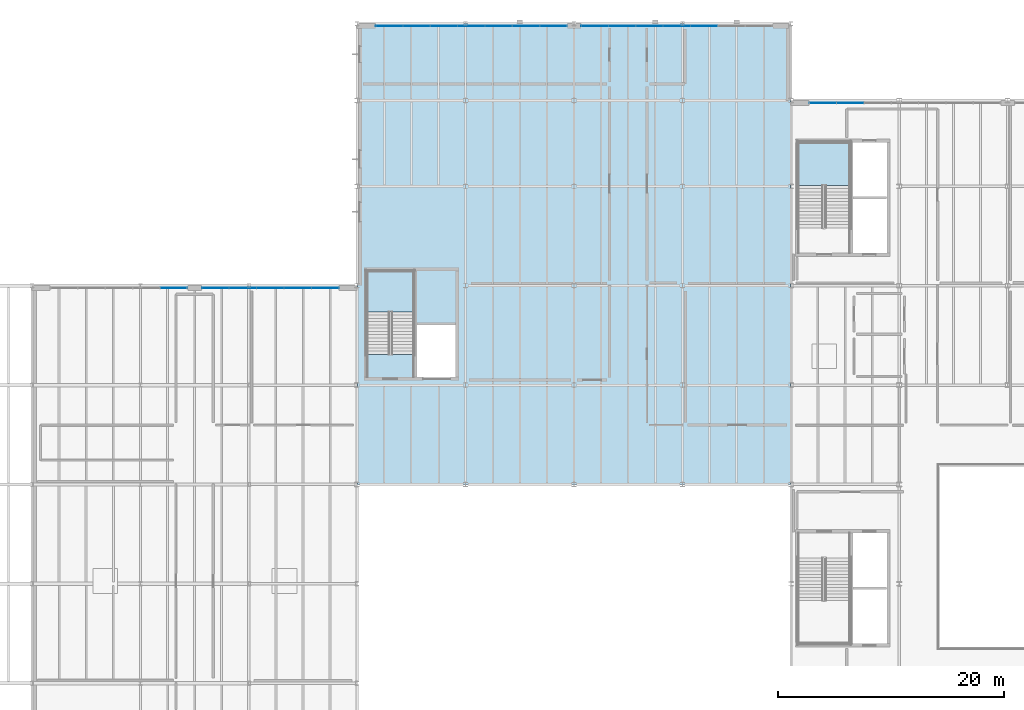
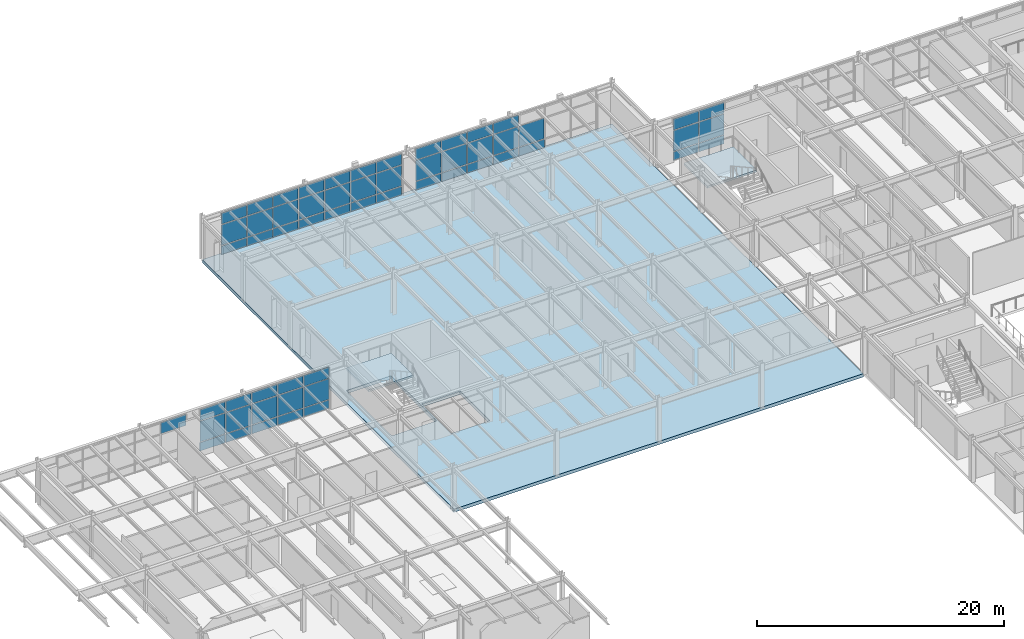
# One storey, part 48 of 77: 57 plates, 3 slabs, 7 elements without a shape of their own.
"""IFC4 building model written with IfcOpenShell, lengths in metres."""

from ifc_helpers import new_model, si_unit, direction, frame, origin, origin_2d, place, context, subcontext, project, spatial, polyline, rectangle, outline, extrude, material, layer, layer_set, type_object, element, aggregate, save


model = new_model("IFC4")

# Units and contexts
model_context = context("Model", 3, precision=1e-05, world=origin(), true_north=direction((0.0, 1.0)))
body_context = subcontext(model_context, "Body", "Model", "MODEL_VIEW")
ifc_project = project(units=[si_unit("LENGTHUNIT", "METRE"), si_unit("AREAUNIT", "SQUARE_METRE"), si_unit("VOLUMEUNIT", "CUBIC_METRE"), si_unit("PLANEANGLEUNIT", "RADIAN"), si_unit("MASSUNIT", "GRAM", prefix="KILO")], contexts=[model_context])

# Site, building, storey
site_placement = place(None, origin())
site = spatial("IfcSite", under=ifc_project, at=site_placement, CompositionType="ELEMENT")
building_placement = place(site_placement, origin())
building = spatial("IfcBuilding", under=site, at=building_placement, Name="Sarnbrook Museum", CompositionType="ELEMENT")
storey_placement = place(building_placement, frame((0.0, 0.0, 5.60009765625)))
storey = spatial("IfcBuildingStorey", under=building, at=storey_placement, Name="L01", CompositionType="ELEMENT", Elevation=5.60009765625)

# Curtain wall, plates
ifc_material_1 = material(Name="Thermally Broken Anodised Aluminium 6063-T6", Category="aluminium")
curtain_wall_type = type_object("IfcCurtainWallType", Name="CurtainWall_GalleryRibbon", PredefinedType="NOTDEFINED", material=ifc_material_1)
curtain_wall_1_placement = place(storey_placement, origin())
curtain_wall_1 = element("IfcCurtainWall", 1, at=curtain_wall_1_placement, inside=storey, type_object=curtain_wall_type, Name="Gallery Ribbon Curtain Wall L01-6.2", PredefinedType="NOTDEFINED")
ifc_material_2 = material(Name="Double-Glazed Low-Iron Laminated Safety Glass", Category="glass")
ifc_layer_1 = layer(ifc_material_2, 0.031982421875)
ifc_layer_set_1 = layer_set([ifc_layer_1], Name="Double-Glazed Low-Iron Laminated Safety Glass")
plate_type_1 = type_object("IfcPlateType", Name="CW_GlazedPanel_32", PredefinedType="CURTAIN_PANEL", material=ifc_layer_set_1)
plate_1_placement = place(storey_placement, frame((86.05419921875, 108.18212890625, 1.949951171875), z_axis=(0.0, 1.0, 0.0), x_axis=(-1.0, 0.0, 0.0)))
plate_1 = element("IfcPlate", 2, at=plate_1_placement, type_object=plate_type_1, Name="Gallery Ribbon Curtain Wall L01-6.2 Glazed Panel 6-2", PredefinedType="CURTAIN_PANEL", context=body_context, shape_type="SweptSolid", body=[
    extrude(rectangle(XDim=2.347900390625, YDim=2.030029296875, at=origin_2d()), origin(), (0.0, 0.0, 1.0), 0.031982421875),
])
plate_2_placement = place(storey_placement, frame((86.05419921875, 108.18212890625, 3.579833984375), z_axis=(0.0, 1.0, 0.0), x_axis=(-1.0, 0.0, 0.0)))
plate_2 = element("IfcPlate", 3, at=plate_2_placement, type_object=plate_type_1, Name="Gallery Ribbon Curtain Wall L01-6.2 Glazed Panel 6-3", PredefinedType="CURTAIN_PANEL", context=body_context, shape_type="SweptSolid", body=[
    extrude(rectangle(XDim=2.347900390625, YDim=1.090087890625, at=origin_2d()), origin(), (0.0, 0.0, 1.0), 0.031982421875),
])
plate_3_placement = place(storey_placement, frame((83.63134765625, 108.18212890625, 1.949951171875), z_axis=(0.0, 1.0, 0.0), x_axis=(-1.0, 0.0, 0.0)))
plate_3 = element("IfcPlate", 4, at=plate_3_placement, type_object=plate_type_1, Name="Gallery Ribbon Curtain Wall L01-6.2 Glazed Panel 7-2", PredefinedType="CURTAIN_PANEL", context=body_context, shape_type="SweptSolid", body=[
    extrude(rectangle(XDim=2.347900390625, YDim=2.030029296875, at=origin_2d()), origin(), (0.0, 0.0, 1.0), 0.031982421875),
])
plate_4_placement = place(storey_placement, frame((83.63134765625, 108.18212890625, 3.579833984375), z_axis=(0.0, 1.0, 0.0), x_axis=(-1.0, 0.0, 0.0)))
plate_4 = element("IfcPlate", 5, at=plate_4_placement, type_object=plate_type_1, Name="Gallery Ribbon Curtain Wall L01-6.2 Glazed Panel 7-3", PredefinedType="CURTAIN_PANEL", context=body_context, shape_type="SweptSolid", body=[
    extrude(rectangle(XDim=2.347900390625, YDim=1.090087890625, at=origin_2d()), origin(), (0.0, 0.0, 1.0), 0.031982421875),
])

curtain_wall_2_placement = place(storey_placement, origin())
curtain_wall_2 = element("IfcCurtainWall", 6, at=curtain_wall_2_placement, inside=storey, type_object=curtain_wall_type, Name="Gallery Ribbon Curtain Wall L01-8.1", PredefinedType="NOTDEFINED")
plate_5_placement = place(storey_placement, frame((73.122802734375, 114.98193359375, 1.949951171875), z_axis=(0.0, 1.0, 0.0), x_axis=(-1.0, 0.0, 0.0)))
plate_5 = element("IfcPlate", 7, at=plate_5_placement, type_object=plate_type_1, Name="Gallery Ribbon Curtain Wall L01-8.1 Glazed Panel 3-2", PredefinedType="CURTAIN_PANEL", context=body_context, shape_type="SweptSolid", body=[
    extrude(rectangle(XDim=2.347900390625, YDim=2.030029296875, at=origin_2d()), origin(), (0.0, 0.0, 1.0), 0.031982421875),
])
plate_6_placement = place(storey_placement, frame((70.699951171875, 114.98193359375, 1.949951171875), z_axis=(0.0, 1.0, 0.0), x_axis=(-1.0, 0.0, 0.0)))
plate_6 = element("IfcPlate", 8, at=plate_6_placement, type_object=plate_type_1, Name="Gallery Ribbon Curtain Wall L01-8.1 Glazed Panel 4-2", PredefinedType="CURTAIN_PANEL", context=body_context, shape_type="SweptSolid", body=[
    extrude(rectangle(XDim=2.347900390625, YDim=2.030029296875, at=origin_2d()), origin(), (0.0, 0.0, 1.0), 0.031982421875),
])
plate_7_placement = place(storey_placement, frame((70.699951171875, 114.98193359375, 3.579833984375), z_axis=(0.0, 1.0, 0.0), x_axis=(-1.0, 0.0, 0.0)))
plate_7 = element("IfcPlate", 9, at=plate_7_placement, type_object=plate_type_1, Name="Gallery Ribbon Curtain Wall L01-8.1 Glazed Panel 4-3", PredefinedType="CURTAIN_PANEL", context=body_context, shape_type="SweptSolid", body=[
    extrude(rectangle(XDim=2.347900390625, YDim=1.090087890625, at=origin_2d()), origin(), (0.0, 0.0, 1.0), 0.031982421875),
])
plate_8_placement = place(storey_placement, frame((68.277099609375, 114.98193359375, 1.949951171875), z_axis=(0.0, 1.0, 0.0), x_axis=(-1.0, 0.0, 0.0)))
plate_8 = element("IfcPlate", 10, at=plate_8_placement, type_object=plate_type_1, Name="Gallery Ribbon Curtain Wall L01-8.1 Glazed Panel 5-2", PredefinedType="CURTAIN_PANEL", context=body_context, shape_type="SweptSolid", body=[
    extrude(rectangle(XDim=2.347900390625, YDim=2.030029296875, at=origin_2d()), origin(), (0.0, 0.0, 1.0), 0.031982421875),
])
plate_9_placement = place(storey_placement, frame((68.277099609375, 114.98193359375, 3.579833984375), z_axis=(0.0, 1.0, 0.0), x_axis=(-1.0, 0.0, 0.0)))
plate_9 = element("IfcPlate", 11, at=plate_9_placement, type_object=plate_type_1, Name="Gallery Ribbon Curtain Wall L01-8.1 Glazed Panel 5-3", PredefinedType="CURTAIN_PANEL", context=body_context, shape_type="SweptSolid", body=[
    extrude(rectangle(XDim=2.347900390625, YDim=1.090087890625, at=origin_2d()), origin(), (0.0, 0.0, 1.0), 0.031982421875),
])
plate_10_placement = place(storey_placement, frame((65.854248046875, 114.98193359375, 1.949951171875), z_axis=(0.0, 1.0, 0.0), x_axis=(-1.0, 0.0, 0.0)))
plate_10 = element("IfcPlate", 12, at=plate_10_placement, type_object=plate_type_1, Name="Gallery Ribbon Curtain Wall L01-8.1 Glazed Panel 6-2", PredefinedType="CURTAIN_PANEL", context=body_context, shape_type="SweptSolid", body=[
    extrude(rectangle(XDim=2.347900390625, YDim=2.030029296875, at=origin_2d()), origin(), (0.0, 0.0, 1.0), 0.031982421875),
])
plate_11_placement = place(storey_placement, frame((65.854248046875, 114.98193359375, 3.579833984375), z_axis=(0.0, 1.0, 0.0), x_axis=(-1.0, 0.0, 0.0)))
plate_11 = element("IfcPlate", 13, at=plate_11_placement, type_object=plate_type_1, Name="Gallery Ribbon Curtain Wall L01-8.1 Glazed Panel 6-3", PredefinedType="CURTAIN_PANEL", context=body_context, shape_type="SweptSolid", body=[
    extrude(rectangle(XDim=2.347900390625, YDim=1.090087890625, at=origin_2d()), origin(), (0.0, 0.0, 1.0), 0.031982421875),
])
plate_12_placement = place(storey_placement, frame((63.431396484375, 114.98193359375, 1.949951171875), z_axis=(0.0, 1.0, 0.0), x_axis=(-1.0, 0.0, 0.0)))
plate_12 = element("IfcPlate", 14, at=plate_12_placement, type_object=plate_type_1, Name="Gallery Ribbon Curtain Wall L01-8.1 Glazed Panel 7-2", PredefinedType="CURTAIN_PANEL", context=body_context, shape_type="SweptSolid", body=[
    extrude(rectangle(XDim=2.347900390625, YDim=2.030029296875, at=origin_2d()), origin(), (0.0, 0.0, 1.0), 0.031982421875),
])
plate_13_placement = place(storey_placement, frame((63.431396484375, 114.98193359375, 3.579833984375), z_axis=(0.0, 1.0, 0.0), x_axis=(-1.0, 0.0, 0.0)))
plate_13 = element("IfcPlate", 15, at=plate_13_placement, type_object=plate_type_1, Name="Gallery Ribbon Curtain Wall L01-8.1 Glazed Panel 7-3", PredefinedType="CURTAIN_PANEL", context=body_context, shape_type="SweptSolid", body=[
    extrude(rectangle(XDim=2.347900390625, YDim=1.090087890625, at=origin_2d()), origin(), (0.0, 0.0, 1.0), 0.031982421875),
])

curtain_wall_3_placement = place(storey_placement, origin())
curtain_wall_3 = element("IfcCurtainWall", 16, at=curtain_wall_3_placement, inside=storey, type_object=curtain_wall_type, Name="Gallery Ribbon Curtain Wall L01-8.2", PredefinedType="NOTDEFINED")
plate_14_placement = place(storey_placement, frame((59.7685546875, 114.98193359375, 1.949951171875), z_axis=(0.0, 1.0, 0.0), x_axis=(-1.0, 0.0, 0.0)))
plate_14 = element("IfcPlate", 17, at=plate_14_placement, type_object=plate_type_1, Name="Gallery Ribbon Curtain Wall L01-8.2 Glazed Panel 1-2", PredefinedType="CURTAIN_PANEL", context=body_context, shape_type="SweptSolid", body=[
    extrude(rectangle(XDim=2.347900390625, YDim=2.030029296875, at=origin_2d()), origin(), (0.0, 0.0, 1.0), 0.031982421875),
])
plate_15_placement = place(storey_placement, frame((59.7685546875, 114.98193359375, 3.579833984375), z_axis=(0.0, 1.0, 0.0), x_axis=(-1.0, 0.0, 0.0)))
plate_15 = element("IfcPlate", 18, at=plate_15_placement, type_object=plate_type_1, Name="Gallery Ribbon Curtain Wall L01-8.2 Glazed Panel 1-3", PredefinedType="CURTAIN_PANEL", context=body_context, shape_type="SweptSolid", body=[
    extrude(rectangle(XDim=2.347900390625, YDim=1.090087890625, at=origin_2d()), origin(), (0.0, 0.0, 1.0), 0.031982421875),
])
plate_16_placement = place(storey_placement, frame((57.345703125, 114.98193359375, 1.949951171875), z_axis=(0.0, 1.0, 0.0), x_axis=(-1.0, 0.0, 0.0)))
plate_16 = element("IfcPlate", 19, at=plate_16_placement, type_object=plate_type_1, Name="Gallery Ribbon Curtain Wall L01-8.2 Glazed Panel 2-2", PredefinedType="CURTAIN_PANEL", context=body_context, shape_type="SweptSolid", body=[
    extrude(rectangle(XDim=2.347900390625, YDim=2.030029296875, at=origin_2d()), origin(), (0.0, 0.0, 1.0), 0.031982421875),
])
plate_17_placement = place(storey_placement, frame((57.345703125, 114.98193359375, 3.579833984375), z_axis=(0.0, 1.0, 0.0), x_axis=(-1.0, 0.0, 0.0)))
plate_17 = element("IfcPlate", 20, at=plate_17_placement, type_object=plate_type_1, Name="Gallery Ribbon Curtain Wall L01-8.2 Glazed Panel 2-3", PredefinedType="CURTAIN_PANEL", context=body_context, shape_type="SweptSolid", body=[
    extrude(rectangle(XDim=2.347900390625, YDim=1.090087890625, at=origin_2d()), origin(), (0.0, 0.0, 1.0), 0.031982421875),
])
plate_18_placement = place(storey_placement, frame((54.9228515625, 114.98193359375, 1.949951171875), z_axis=(0.0, 1.0, 0.0), x_axis=(-1.0, 0.0, 0.0)))
plate_18 = element("IfcPlate", 21, at=plate_18_placement, type_object=plate_type_1, Name="Gallery Ribbon Curtain Wall L01-8.2 Glazed Panel 3-2", PredefinedType="CURTAIN_PANEL", context=body_context, shape_type="SweptSolid", body=[
    extrude(rectangle(XDim=2.347900390625, YDim=2.030029296875, at=origin_2d()), origin(), (0.0, 0.0, 1.0), 0.031982421875),
])
plate_19_placement = place(storey_placement, frame((54.9228515625, 114.98193359375, 3.579833984375), z_axis=(0.0, 1.0, 0.0), x_axis=(-1.0, 0.0, 0.0)))
plate_19 = element("IfcPlate", 22, at=plate_19_placement, type_object=plate_type_1, Name="Gallery Ribbon Curtain Wall L01-8.2 Glazed Panel 3-3", PredefinedType="CURTAIN_PANEL", context=body_context, shape_type="SweptSolid", body=[
    extrude(rectangle(XDim=2.347900390625, YDim=1.090087890625, at=origin_2d()), origin(), (0.0, 0.0, 1.0), 0.031982421875),
])
plate_20_placement = place(storey_placement, frame((52.5, 114.98193359375, 1.949951171875), z_axis=(0.0, 1.0, 0.0), x_axis=(-1.0, 0.0, 0.0)))
plate_20 = element("IfcPlate", 23, at=plate_20_placement, type_object=plate_type_1, Name="Gallery Ribbon Curtain Wall L01-8.2 Glazed Panel 4-2", PredefinedType="CURTAIN_PANEL", context=body_context, shape_type="SweptSolid", body=[
    extrude(rectangle(XDim=2.347900390625, YDim=2.030029296875, at=origin_2d()), origin(), (0.0, 0.0, 1.0), 0.031982421875),
])
plate_21_placement = place(storey_placement, frame((52.5, 114.98193359375, 3.579833984375), z_axis=(0.0, 1.0, 0.0), x_axis=(-1.0, 0.0, 0.0)))
plate_21 = element("IfcPlate", 24, at=plate_21_placement, type_object=plate_type_1, Name="Gallery Ribbon Curtain Wall L01-8.2 Glazed Panel 4-3", PredefinedType="CURTAIN_PANEL", context=body_context, shape_type="SweptSolid", body=[
    extrude(rectangle(XDim=2.347900390625, YDim=1.090087890625, at=origin_2d()), origin(), (0.0, 0.0, 1.0), 0.031982421875),
])
plate_22_placement = place(storey_placement, frame((50.0771484375, 114.98193359375, 1.949951171875), z_axis=(0.0, 1.0, 0.0), x_axis=(-1.0, 0.0, 0.0)))
plate_22 = element("IfcPlate", 25, at=plate_22_placement, type_object=plate_type_1, Name="Gallery Ribbon Curtain Wall L01-8.2 Glazed Panel 5-2", PredefinedType="CURTAIN_PANEL", context=body_context, shape_type="SweptSolid", body=[
    extrude(rectangle(XDim=2.347900390625, YDim=2.030029296875, at=origin_2d()), origin(), (0.0, 0.0, 1.0), 0.031982421875),
])
plate_23_placement = place(storey_placement, frame((50.0771484375, 114.98193359375, 3.579833984375), z_axis=(0.0, 1.0, 0.0), x_axis=(-1.0, 0.0, 0.0)))
plate_23 = element("IfcPlate", 26, at=plate_23_placement, type_object=plate_type_1, Name="Gallery Ribbon Curtain Wall L01-8.2 Glazed Panel 5-3", PredefinedType="CURTAIN_PANEL", context=body_context, shape_type="SweptSolid", body=[
    extrude(rectangle(XDim=2.347900390625, YDim=1.090087890625, at=origin_2d()), origin(), (0.0, 0.0, 1.0), 0.031982421875),
])
plate_24_placement = place(storey_placement, frame((47.654296875, 114.98193359375, 1.949951171875), z_axis=(0.0, 1.0, 0.0), x_axis=(-1.0, 0.0, 0.0)))
plate_24 = element("IfcPlate", 27, at=plate_24_placement, type_object=plate_type_1, Name="Gallery Ribbon Curtain Wall L01-8.2 Glazed Panel 6-2", PredefinedType="CURTAIN_PANEL", context=body_context, shape_type="SweptSolid", body=[
    extrude(rectangle(XDim=2.347900390625, YDim=2.030029296875, at=origin_2d()), origin(), (0.0, 0.0, 1.0), 0.031982421875),
])
plate_25_placement = place(storey_placement, frame((47.654296875, 114.98193359375, 3.579833984375), z_axis=(0.0, 1.0, 0.0), x_axis=(-1.0, 0.0, 0.0)))
plate_25 = element("IfcPlate", 28, at=plate_25_placement, type_object=plate_type_1, Name="Gallery Ribbon Curtain Wall L01-8.2 Glazed Panel 6-3", PredefinedType="CURTAIN_PANEL", context=body_context, shape_type="SweptSolid", body=[
    extrude(rectangle(XDim=2.347900390625, YDim=1.090087890625, at=origin_2d()), origin(), (0.0, 0.0, 1.0), 0.031982421875),
])
plate_26_placement = place(storey_placement, frame((45.2314453125, 114.98193359375, 1.949951171875), z_axis=(0.0, 1.0, 0.0), x_axis=(-1.0, 0.0, 0.0)))
plate_26 = element("IfcPlate", 29, at=plate_26_placement, type_object=plate_type_1, Name="Gallery Ribbon Curtain Wall L01-8.2 Glazed Panel 7-2", PredefinedType="CURTAIN_PANEL", context=body_context, shape_type="SweptSolid", body=[
    extrude(rectangle(XDim=2.347900390625, YDim=2.030029296875, at=origin_2d()), origin(), (0.0, 0.0, 1.0), 0.031982421875),
])
plate_27_placement = place(storey_placement, frame((45.2314453125, 114.98193359375, 3.579833984375), z_axis=(0.0, 1.0, 0.0), x_axis=(-1.0, 0.0, 0.0)))
plate_27 = element("IfcPlate", 30, at=plate_27_placement, type_object=plate_type_1, Name="Gallery Ribbon Curtain Wall L01-8.2 Glazed Panel 7-3", PredefinedType="CURTAIN_PANEL", context=body_context, shape_type="SweptSolid", body=[
    extrude(rectangle(XDim=2.347900390625, YDim=1.090087890625, at=origin_2d()), origin(), (0.0, 0.0, 1.0), 0.031982421875),
])

curtain_wall_4_placement = place(storey_placement, origin())
curtain_wall_4 = element("IfcCurtainWall", 31, at=curtain_wall_4_placement, inside=storey, type_object=curtain_wall_type, Name="Gallery Ribbon Curtain Wall L01-10.1", PredefinedType="NOTDEFINED")
plate_28_placement = place(storey_placement, frame((39.56396484375, 91.7822265625, 1.949951171875), z_axis=(0.0, 1.0, 0.0), x_axis=(-1.0, 0.0, 0.0)))
plate_28 = element("IfcPlate", 32, at=plate_28_placement, type_object=plate_type_1, Name="Gallery Ribbon Curtain Wall L01-10.1 Glazed Panel 1-2", PredefinedType="CURTAIN_PANEL", context=body_context, shape_type="SweptSolid", body=[
    extrude(rectangle(XDim=2.35693359375, YDim=2.030029296875, at=origin_2d()), origin(), (0.0, 0.0, 1.0), 0.031982421875),
])
plate_29_placement = place(storey_placement, frame((39.56396484375, 91.7822265625, 3.579833984375), z_axis=(0.0, 1.0, 0.0), x_axis=(-1.0, 0.0, 0.0)))
plate_29 = element("IfcPlate", 33, at=plate_29_placement, type_object=plate_type_1, Name="Gallery Ribbon Curtain Wall L01-10.1 Glazed Panel 1-3", PredefinedType="CURTAIN_PANEL", context=body_context, shape_type="SweptSolid", body=[
    extrude(rectangle(XDim=2.35693359375, YDim=1.090087890625, at=origin_2d()), origin(), (0.0, 0.0, 1.0), 0.031982421875),
])
plate_30_placement = place(storey_placement, frame((37.132080078125, 91.7822265625, 1.949951171875), z_axis=(0.0, 1.0, 0.0), x_axis=(-1.0, 0.0, 0.0)))
plate_30 = element("IfcPlate", 34, at=plate_30_placement, type_object=plate_type_1, Name="Gallery Ribbon Curtain Wall L01-10.1 Glazed Panel 2-2", PredefinedType="CURTAIN_PANEL", context=body_context, shape_type="SweptSolid", body=[
    extrude(rectangle(XDim=2.35693359375, YDim=2.030029296875, at=origin_2d()), origin(), (0.0, 0.0, 1.0), 0.031982421875),
])
plate_31_placement = place(storey_placement, frame((37.132080078125, 91.7822265625, 3.579833984375), z_axis=(0.0, 1.0, 0.0), x_axis=(-1.0, 0.0, 0.0)))
plate_31 = element("IfcPlate", 35, at=plate_31_placement, type_object=plate_type_1, Name="Gallery Ribbon Curtain Wall L01-10.1 Glazed Panel 2-3", PredefinedType="CURTAIN_PANEL", context=body_context, shape_type="SweptSolid", body=[
    extrude(rectangle(XDim=2.35693359375, YDim=1.090087890625, at=origin_2d()), origin(), (0.0, 0.0, 1.0), 0.031982421875),
])
plate_32_placement = place(storey_placement, frame((34.699951171875, 91.7822265625, 1.949951171875), z_axis=(0.0, 1.0, 0.0), x_axis=(-1.0, 0.0, 0.0)))
plate_32 = element("IfcPlate", 36, at=plate_32_placement, type_object=plate_type_1, Name="Gallery Ribbon Curtain Wall L01-10.1 Glazed Panel 3-2", PredefinedType="CURTAIN_PANEL", context=body_context, shape_type="SweptSolid", body=[
    extrude(rectangle(XDim=2.35693359375, YDim=2.030029296875, at=origin_2d()), origin(), (0.0, 0.0, 1.0), 0.031982421875),
])
plate_33_placement = place(storey_placement, frame((34.699951171875, 91.7822265625, 3.579833984375), z_axis=(0.0, 1.0, 0.0), x_axis=(-1.0, 0.0, 0.0)))
plate_33 = element("IfcPlate", 37, at=plate_33_placement, type_object=plate_type_1, Name="Gallery Ribbon Curtain Wall L01-10.1 Glazed Panel 3-3", PredefinedType="CURTAIN_PANEL", context=body_context, shape_type="SweptSolid", body=[
    extrude(rectangle(XDim=2.35693359375, YDim=1.090087890625, at=origin_2d()), origin(), (0.0, 0.0, 1.0), 0.031982421875),
])
plate_34_placement = place(storey_placement, frame((32.26806640625, 91.7822265625, 1.949951171875), z_axis=(0.0, 1.0, 0.0), x_axis=(-1.0, 0.0, 0.0)))
plate_34 = element("IfcPlate", 38, at=plate_34_placement, type_object=plate_type_1, Name="Gallery Ribbon Curtain Wall L01-10.1 Glazed Panel 4-2", PredefinedType="CURTAIN_PANEL", context=body_context, shape_type="SweptSolid", body=[
    extrude(rectangle(XDim=2.35693359375, YDim=2.030029296875, at=origin_2d()), origin(), (0.0, 0.0, 1.0), 0.031982421875),
])
plate_35_placement = place(storey_placement, frame((32.26806640625, 91.7822265625, 3.579833984375), z_axis=(0.0, 1.0, 0.0), x_axis=(-1.0, 0.0, 0.0)))
plate_35 = element("IfcPlate", 39, at=plate_35_placement, type_object=plate_type_1, Name="Gallery Ribbon Curtain Wall L01-10.1 Glazed Panel 4-3", PredefinedType="CURTAIN_PANEL", context=body_context, shape_type="SweptSolid", body=[
    extrude(rectangle(XDim=2.35693359375, YDim=1.090087890625, at=origin_2d()), origin(), (0.0, 0.0, 1.0), 0.031982421875),
])
plate_36_placement = place(storey_placement, frame((29.8359375, 91.7822265625, 1.949951171875), z_axis=(0.0, 1.0, 0.0), x_axis=(-1.0, 0.0, 0.0)))
plate_36 = element("IfcPlate", 40, at=plate_36_placement, type_object=plate_type_1, Name="Gallery Ribbon Curtain Wall L01-10.1 Glazed Panel 5-2", PredefinedType="CURTAIN_PANEL", context=body_context, shape_type="SweptSolid", body=[
    extrude(rectangle(XDim=2.35693359375, YDim=2.030029296875, at=origin_2d()), origin(), (0.0, 0.0, 1.0), 0.031982421875),
])
plate_37_placement = place(storey_placement, frame((29.8359375, 91.7822265625, 3.579833984375), z_axis=(0.0, 1.0, 0.0), x_axis=(-1.0, 0.0, 0.0)))
plate_37 = element("IfcPlate", 41, at=plate_37_placement, type_object=plate_type_1, Name="Gallery Ribbon Curtain Wall L01-10.1 Glazed Panel 5-3", PredefinedType="CURTAIN_PANEL", context=body_context, shape_type="SweptSolid", body=[
    extrude(rectangle(XDim=2.35693359375, YDim=1.090087890625, at=origin_2d()), origin(), (0.0, 0.0, 1.0), 0.031982421875),
])

# Curtain wall, plate
curtain_wall_5_placement = place(storey_placement, origin())
curtain_wall_5 = element("IfcCurtainWall", 42, at=curtain_wall_5_placement, inside=storey, type_object=curtain_wall_type, Name="Gallery Ribbon Curtain Wall L01-10.2", PredefinedType="NOTDEFINED")
plate_38_placement = place(storey_placement, frame((26.1640625, 91.7822265625, 3.579833984375), z_axis=(0.0, 1.0, 0.0), x_axis=(-1.0, 0.0, 0.0)))
plate_38 = element("IfcPlate", 43, at=plate_38_placement, type_object=plate_type_1, Name="Gallery Ribbon Curtain Wall L01-10.2 Glazed Panel 1-3", PredefinedType="CURTAIN_PANEL", context=body_context, shape_type="SweptSolid", body=[
    extrude(rectangle(XDim=2.35693359375, YDim=1.090087890625, at=origin_2d()), origin(), (0.0, 0.0, 1.0), 0.031982421875),
])
aggregate(curtain_wall_5, [plate_38])

# Plate
ifc_material_3 = material(Name="Patinated Architectural Bronze")
ifc_layer_2 = layer(ifc_material_3, 0.044921875)
ifc_layer_set_2 = layer_set([ifc_layer_2], Name="Patinated Architectural Bronze")
plate_type_2 = type_object("IfcPlateType", Name="CW_SpandrelPanel_45", PredefinedType="CURTAIN_PANEL", material=ifc_layer_set_2)
plate_39_placement = place(storey_placement, frame((86.05419921875, 108.175537109375, 0.449951171875), z_axis=(0.0, 1.0, 0.0), x_axis=(-1.0, 0.0, 0.0)))
plate_39 = element("IfcPlate", 44, at=plate_39_placement, type_object=plate_type_2, Name="Gallery Ribbon Curtain Wall L01-6.2 Spandrel Panel 6-1", PredefinedType="CURTAIN_PANEL", context=body_context, shape_type="SweptSolid", body=[
    extrude(rectangle(XDim=2.347900390625, YDim=0.830078125, at=origin_2d()), origin(), (0.0, 0.0, 1.0), 0.044921875),
])

plate_40_placement = place(storey_placement, frame((83.63134765625, 108.175537109375, 0.449951171875), z_axis=(0.0, 1.0, 0.0), x_axis=(-1.0, 0.0, 0.0)))
plate_40 = element("IfcPlate", 45, at=plate_40_placement, type_object=plate_type_2, Name="Gallery Ribbon Curtain Wall L01-6.2 Spandrel Panel 7-1", PredefinedType="CURTAIN_PANEL", context=body_context, shape_type="SweptSolid", body=[
    extrude(rectangle(XDim=2.347900390625, YDim=0.830078125, at=origin_2d()), origin(), (0.0, 0.0, 1.0), 0.044921875),
])

aggregate(curtain_wall_1, [plate_39, plate_1, plate_2, plate_40, plate_3, plate_4])

plate_41_placement = place(storey_placement, frame((73.122802734375, 114.9755859375, 0.449951171875), z_axis=(0.0, 1.0, 0.0), x_axis=(-1.0, 0.0, 0.0)))
plate_41 = element("IfcPlate", 46, at=plate_41_placement, type_object=plate_type_2, Name="Gallery Ribbon Curtain Wall L01-8.1 Spandrel Panel 3-1", PredefinedType="CURTAIN_PANEL", context=body_context, shape_type="SweptSolid", body=[
    extrude(rectangle(XDim=2.347900390625, YDim=0.830078125, at=origin_2d()), origin(), (0.0, 0.0, 1.0), 0.044921875),
])

plate_42_placement = place(storey_placement, frame((70.699951171875, 114.9755859375, 0.449951171875), z_axis=(0.0, 1.0, 0.0), x_axis=(-1.0, 0.0, 0.0)))
plate_42 = element("IfcPlate", 47, at=plate_42_placement, type_object=plate_type_2, Name="Gallery Ribbon Curtain Wall L01-8.1 Spandrel Panel 4-1", PredefinedType="CURTAIN_PANEL", context=body_context, shape_type="SweptSolid", body=[
    extrude(rectangle(XDim=2.347900390625, YDim=0.830078125, at=origin_2d()), origin(), (0.0, 0.0, 1.0), 0.044921875),
])

plate_43_placement = place(storey_placement, frame((68.277099609375, 114.9755859375, 0.449951171875), z_axis=(0.0, 1.0, 0.0), x_axis=(-1.0, 0.0, 0.0)))
plate_43 = element("IfcPlate", 48, at=plate_43_placement, type_object=plate_type_2, Name="Gallery Ribbon Curtain Wall L01-8.1 Spandrel Panel 5-1", PredefinedType="CURTAIN_PANEL", context=body_context, shape_type="SweptSolid", body=[
    extrude(rectangle(XDim=2.347900390625, YDim=0.830078125, at=origin_2d()), origin(), (0.0, 0.0, 1.0), 0.044921875),
])

plate_44_placement = place(storey_placement, frame((65.854248046875, 114.9755859375, 0.449951171875), z_axis=(0.0, 1.0, 0.0), x_axis=(-1.0, 0.0, 0.0)))
plate_44 = element("IfcPlate", 49, at=plate_44_placement, type_object=plate_type_2, Name="Gallery Ribbon Curtain Wall L01-8.1 Spandrel Panel 6-1", PredefinedType="CURTAIN_PANEL", context=body_context, shape_type="SweptSolid", body=[
    extrude(rectangle(XDim=2.347900390625, YDim=0.830078125, at=origin_2d()), origin(), (0.0, 0.0, 1.0), 0.044921875),
])

plate_45_placement = place(storey_placement, frame((63.431396484375, 114.9755859375, 0.449951171875), z_axis=(0.0, 1.0, 0.0), x_axis=(-1.0, 0.0, 0.0)))
plate_45 = element("IfcPlate", 50, at=plate_45_placement, type_object=plate_type_2, Name="Gallery Ribbon Curtain Wall L01-8.1 Spandrel Panel 7-1", PredefinedType="CURTAIN_PANEL", context=body_context, shape_type="SweptSolid", body=[
    extrude(rectangle(XDim=2.347900390625, YDim=0.830078125, at=origin_2d()), origin(), (0.0, 0.0, 1.0), 0.044921875),
])

aggregate(curtain_wall_2, [plate_41, plate_5, plate_42, plate_6, plate_7, plate_43, plate_8, plate_9, plate_44, plate_10, plate_11, plate_45, plate_12, plate_13])

plate_46_placement = place(storey_placement, frame((59.7685546875, 114.9755859375, 0.449951171875), z_axis=(0.0, 1.0, 0.0), x_axis=(-1.0, 0.0, 0.0)))
plate_46 = element("IfcPlate", 51, at=plate_46_placement, type_object=plate_type_2, Name="Gallery Ribbon Curtain Wall L01-8.2 Spandrel Panel 1-1", PredefinedType="CURTAIN_PANEL", context=body_context, shape_type="SweptSolid", body=[
    extrude(rectangle(XDim=2.347900390625, YDim=0.830078125, at=origin_2d()), origin(), (0.0, 0.0, 1.0), 0.044921875),
])

plate_47_placement = place(storey_placement, frame((57.345703125, 114.9755859375, 0.449951171875), z_axis=(0.0, 1.0, 0.0), x_axis=(-1.0, 0.0, 0.0)))
plate_47 = element("IfcPlate", 52, at=plate_47_placement, type_object=plate_type_2, Name="Gallery Ribbon Curtain Wall L01-8.2 Spandrel Panel 2-1", PredefinedType="CURTAIN_PANEL", context=body_context, shape_type="SweptSolid", body=[
    extrude(rectangle(XDim=2.347900390625, YDim=0.830078125, at=origin_2d()), origin(), (0.0, 0.0, 1.0), 0.044921875),
])

plate_48_placement = place(storey_placement, frame((54.9228515625, 114.9755859375, 0.449951171875), z_axis=(0.0, 1.0, 0.0), x_axis=(-1.0, 0.0, 0.0)))
plate_48 = element("IfcPlate", 53, at=plate_48_placement, type_object=plate_type_2, Name="Gallery Ribbon Curtain Wall L01-8.2 Spandrel Panel 3-1", PredefinedType="CURTAIN_PANEL", context=body_context, shape_type="SweptSolid", body=[
    extrude(rectangle(XDim=2.347900390625, YDim=0.830078125, at=origin_2d()), origin(), (0.0, 0.0, 1.0), 0.044921875),
])

plate_49_placement = place(storey_placement, frame((52.5, 114.9755859375, 0.449951171875), z_axis=(0.0, 1.0, 0.0), x_axis=(-1.0, 0.0, 0.0)))
plate_49 = element("IfcPlate", 54, at=plate_49_placement, type_object=plate_type_2, Name="Gallery Ribbon Curtain Wall L01-8.2 Spandrel Panel 4-1", PredefinedType="CURTAIN_PANEL", context=body_context, shape_type="SweptSolid", body=[
    extrude(rectangle(XDim=2.347900390625, YDim=0.830078125, at=origin_2d()), origin(), (0.0, 0.0, 1.0), 0.044921875),
])

plate_50_placement = place(storey_placement, frame((50.0771484375, 114.9755859375, 0.449951171875), z_axis=(0.0, 1.0, 0.0), x_axis=(-1.0, 0.0, 0.0)))
plate_50 = element("IfcPlate", 55, at=plate_50_placement, type_object=plate_type_2, Name="Gallery Ribbon Curtain Wall L01-8.2 Spandrel Panel 5-1", PredefinedType="CURTAIN_PANEL", context=body_context, shape_type="SweptSolid", body=[
    extrude(rectangle(XDim=2.347900390625, YDim=0.830078125, at=origin_2d()), origin(), (0.0, 0.0, 1.0), 0.044921875),
])

plate_51_placement = place(storey_placement, frame((47.654296875, 114.9755859375, 0.449951171875), z_axis=(0.0, 1.0, 0.0), x_axis=(-1.0, 0.0, 0.0)))
plate_51 = element("IfcPlate", 56, at=plate_51_placement, type_object=plate_type_2, Name="Gallery Ribbon Curtain Wall L01-8.2 Spandrel Panel 6-1", PredefinedType="CURTAIN_PANEL", context=body_context, shape_type="SweptSolid", body=[
    extrude(rectangle(XDim=2.347900390625, YDim=0.830078125, at=origin_2d()), origin(), (0.0, 0.0, 1.0), 0.044921875),
])

plate_52_placement = place(storey_placement, frame((45.2314453125, 114.9755859375, 0.449951171875), z_axis=(0.0, 1.0, 0.0), x_axis=(-1.0, 0.0, 0.0)))
plate_52 = element("IfcPlate", 57, at=plate_52_placement, type_object=plate_type_2, Name="Gallery Ribbon Curtain Wall L01-8.2 Spandrel Panel 7-1", PredefinedType="CURTAIN_PANEL", context=body_context, shape_type="SweptSolid", body=[
    extrude(rectangle(XDim=2.347900390625, YDim=0.830078125, at=origin_2d()), origin(), (0.0, 0.0, 1.0), 0.044921875),
])

aggregate(curtain_wall_3, [plate_46, plate_14, plate_15, plate_47, plate_16, plate_17, plate_48, plate_18, plate_19, plate_49, plate_20, plate_21, plate_50, plate_22, plate_23, plate_51, plate_24, plate_25, plate_52, plate_26, plate_27])

plate_53_placement = place(storey_placement, frame((39.56396484375, 91.775634765625, 0.449951171875), z_axis=(0.0, 1.0, 0.0), x_axis=(-1.0, 0.0, 0.0)))
plate_53 = element("IfcPlate", 58, at=plate_53_placement, type_object=plate_type_2, Name="Gallery Ribbon Curtain Wall L01-10.1 Spandrel Panel 1-1", PredefinedType="CURTAIN_PANEL", context=body_context, shape_type="SweptSolid", body=[
    extrude(rectangle(XDim=2.35693359375, YDim=0.830078125, at=origin_2d()), origin(), (0.0, 0.0, 1.0), 0.044921875),
])

plate_54_placement = place(storey_placement, frame((37.132080078125, 91.775634765625, 0.449951171875), z_axis=(0.0, 1.0, 0.0), x_axis=(-1.0, 0.0, 0.0)))
plate_54 = element("IfcPlate", 59, at=plate_54_placement, type_object=plate_type_2, Name="Gallery Ribbon Curtain Wall L01-10.1 Spandrel Panel 2-1", PredefinedType="CURTAIN_PANEL", context=body_context, shape_type="SweptSolid", body=[
    extrude(rectangle(XDim=2.35693359375, YDim=0.830078125, at=origin_2d()), origin(), (0.0, 0.0, 1.0), 0.044921875),
])

plate_55_placement = place(storey_placement, frame((34.699951171875, 91.775634765625, 0.449951171875), z_axis=(0.0, 1.0, 0.0), x_axis=(-1.0, 0.0, 0.0)))
plate_55 = element("IfcPlate", 60, at=plate_55_placement, type_object=plate_type_2, Name="Gallery Ribbon Curtain Wall L01-10.1 Spandrel Panel 3-1", PredefinedType="CURTAIN_PANEL", context=body_context, shape_type="SweptSolid", body=[
    extrude(rectangle(XDim=2.35693359375, YDim=0.830078125, at=origin_2d()), origin(), (0.0, 0.0, 1.0), 0.044921875),
])

plate_56_placement = place(storey_placement, frame((32.26806640625, 91.775634765625, 0.449951171875), z_axis=(0.0, 1.0, 0.0), x_axis=(-1.0, 0.0, 0.0)))
plate_56 = element("IfcPlate", 61, at=plate_56_placement, type_object=plate_type_2, Name="Gallery Ribbon Curtain Wall L01-10.1 Spandrel Panel 4-1", PredefinedType="CURTAIN_PANEL", context=body_context, shape_type="SweptSolid", body=[
    extrude(rectangle(XDim=2.35693359375, YDim=0.830078125, at=origin_2d()), origin(), (0.0, 0.0, 1.0), 0.044921875),
])

plate_57_placement = place(storey_placement, frame((29.8359375, 91.775634765625, 0.449951171875), z_axis=(0.0, 1.0, 0.0), x_axis=(-1.0, 0.0, 0.0)))
plate_57 = element("IfcPlate", 62, at=plate_57_placement, type_object=plate_type_2, Name="Gallery Ribbon Curtain Wall L01-10.1 Spandrel Panel 5-1", PredefinedType="CURTAIN_PANEL", context=body_context, shape_type="SweptSolid", body=[
    extrude(rectangle(XDim=2.35693359375, YDim=0.830078125, at=origin_2d()), origin(), (0.0, 0.0, 1.0), 0.044921875),
])

aggregate(curtain_wall_4, [plate_53, plate_28, plate_29, plate_54, plate_30, plate_31, plate_55, plate_32, plate_33, plate_56, plate_34, plate_35, plate_57, plate_36, plate_37])

# Slab
ifc_material_4 = material(Name="Concrete N40 (AS 3600, f'c = 40 MPa)", Category="concrete")
ifc_layer_3 = layer(ifc_material_4, 0.320068359375)
ifc_layer_set_3 = layer_set([ifc_layer_3], Name="Concrete N40 (AS 3600, f'c = 40 MPa)")
slab_type_1 = type_object("IfcSlabType", Name="FloorSlab_320", PredefinedType="FLOOR", material=ifc_layer_set_3)
slab_1_placement = place(storey_placement, frame((0.0, 0.0, -0.320068359375)))
element("IfcSlab", 63, at=slab_1_placement, inside=storey, type_object=slab_type_1, Name="V5N Structural Slab L01", PredefinedType="FLOOR", context=body_context, shape_type="SweptSolid", body=[
    extrude(outline(polyline([(80.764892578125, 115.199951171875), (80.764892578125, 74.39990234375), (42.404052734375, 74.39990234375), (42.404052734375, 92.00390625), (42.39990234375, 92.00390625), (42.39990234375, 115.199951171875), (80.764892578125, 115.199951171875)]), holes=[polyline([(51.199951171875, 83.800048828125), (47.580078125, 83.800048828125), (47.580078125, 88.6201171875), (51.199951171875, 88.6201171875), (51.199951171875, 83.800048828125)]), polyline([(47.43994140625, 85.92041015625), (43.239990234375, 85.92041015625), (43.239990234375, 93.300048828125), (47.43994140625, 93.300048828125), (47.43994140625, 85.92041015625)])]), origin(), (0.0, 0.0, 1.0), 0.320068359375),
])

# Stair, slab
stair_type_1 = type_object("IfcStairType", Name="Stair_ST03", PredefinedType="HALF_TURN_STAIR", material=ifc_material_4)
stair_1_placement = place(storey_placement, origin())
stair_1 = element("IfcStair", 64, at=stair_1_placement, inside=storey, type_object=stair_type_1, Name="L01 Exit Stair ST4", PredefinedType="HALF_TURN_STAIR")
ifc_layer_4 = layer(ifc_material_4, 0.199951171875)
ifc_layer_set_4 = layer_set([ifc_layer_4], Name="Concrete N40 (AS 3600, f'c = 40 MPa)")
slab_type_2 = type_object("IfcSlabType", Name="Landing_200", PredefinedType="LANDING", material=ifc_layer_set_4)
slab_2_placement = place(storey_placement, frame((0.0, 0.0, 2.0498046875)))
slab_2 = element("IfcSlab", 65, at=slab_2_placement, type_object=slab_type_2, Name="ST4 landing 1", PredefinedType="LANDING", context=body_context, shape_type="SweptSolid", body=[
    extrude(outline(polyline([(86.06005859375, 100.889892578125), (86.06005859375, 104.699951171875), (81.43994140625, 104.699951171875), (81.43994140625, 100.889892578125), (86.06005859375, 100.889892578125)])), origin(), (0.0, 0.0, 1.0), 0.2001953125),
])
aggregate(stair_1, [slab_2])

stair_type_2 = type_object("IfcStairType", Name="Stair_ST07", PredefinedType="HALF_TURN_STAIR", material=ifc_material_4)
stair_2_placement = place(storey_placement, origin())
stair_2 = element("IfcStair", 66, at=stair_2_placement, inside=storey, type_object=stair_type_2, Name="L01 Exit Stair ST6", PredefinedType="HALF_TURN_STAIR")
slab_3_placement = place(storey_placement, frame((0.0, 0.0, 2.0498046875)))
slab_3 = element("IfcSlab", 67, at=slab_3_placement, type_object=slab_type_2, Name="ST6 landing 1", PredefinedType="LANDING", context=body_context, shape_type="SweptSolid", body=[
    extrude(outline(polyline([(47.43994140625, 89.68994140625), (47.43994140625, 93.300048828125), (43.239990234375, 93.300048828125), (43.239990234375, 89.68994140625), (47.43994140625, 89.68994140625)])), origin(), (0.0, 0.0, 1.0), 0.2001953125),
])
aggregate(stair_2, [slab_3])

save(model, "model.ifc")
